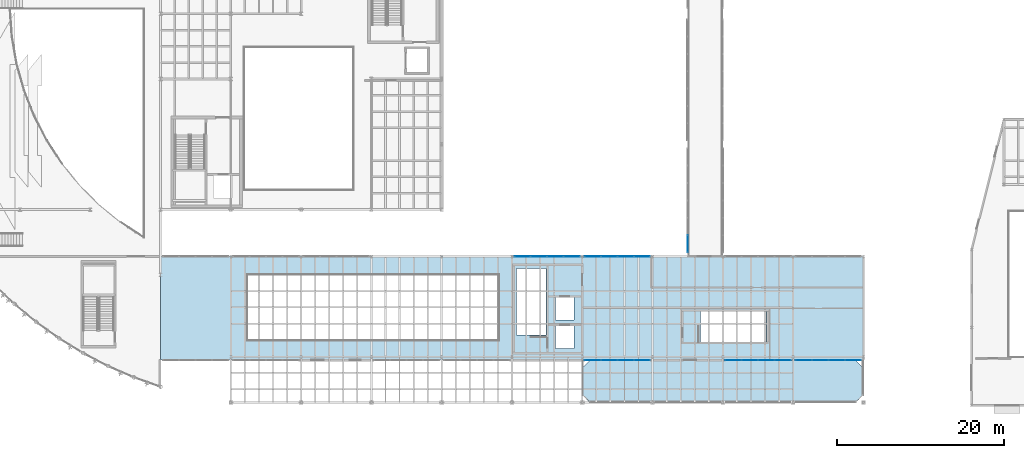
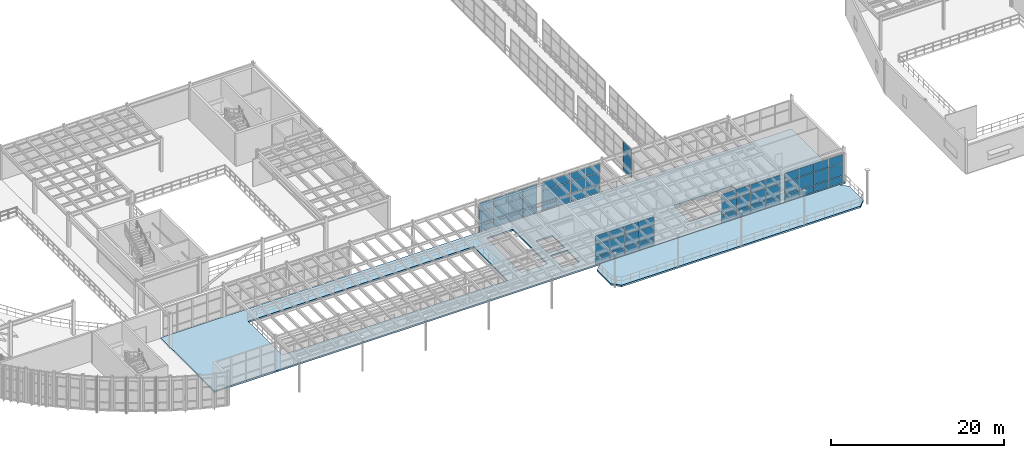
# One storey, part 76 of 105: 63 plates, 2 slabs, 6 elements without a shape of their own.
"""IFC4 building model written with IfcOpenShell, lengths in metres."""

from ifc_helpers import new_model, si_unit, direction, frame, origin, origin_2d, place, context, subcontext, project, spatial, polyline, rectangle, outline, extrude, material, layer, layer_set, type_object, element, aggregate, save


model = new_model("IFC4")

# Units and contexts
model_context = context("Model", 3, precision=1e-05, world=origin(), true_north=direction((0.0, 1.0)))
body_context = subcontext(model_context, "Body", "Model", "MODEL_VIEW")
ifc_project = project(units=[si_unit("LENGTHUNIT", "METRE"), si_unit("AREAUNIT", "SQUARE_METRE"), si_unit("VOLUMEUNIT", "CUBIC_METRE"), si_unit("PLANEANGLEUNIT", "RADIAN"), si_unit("MASSUNIT", "GRAM", prefix="KILO")], contexts=[model_context])

# Site, building, storey
site_placement = place(None, origin())
site = spatial("IfcSite", under=ifc_project, at=site_placement, CompositionType="ELEMENT")
building_placement = place(site_placement, origin())
building = spatial("IfcBuilding", under=site, at=building_placement, Name="Selat Folded Stagehouse", CompositionType="ELEMENT")
storey_placement = place(building_placement, frame((0.0, 0.0, 10.199951171875)))
storey = spatial("IfcBuildingStorey", under=building, at=storey_placement, Name="L02", CompositionType="ELEMENT", Elevation=10.199951171875)

# Curtain wall, plates
ifc_material_1 = material(Name="Aluminium 6063-T6", Category="aluminium")
ifc_layer_1 = layer(ifc_material_1, 0.195068359375)
ifc_layer_set_1 = layer_set([ifc_layer_1], Name="Aluminium 6063-T6")
curtain_wall_type_1 = type_object("IfcCurtainWallType", Name="CW-FYR-COURT", PredefinedType="NOTDEFINED", material=ifc_layer_set_1)
curtain_wall_1_placement = place(storey_placement, origin())
curtain_wall_1 = element("IfcCurtainWall", 1, at=curtain_wall_1_placement, inside=storey, type_object=curtain_wall_type_1, Name="L02 curtain wall CW-FYR-L02-10", PredefinedType="NOTDEFINED")
ifc_material_2 = material(Name="Clear laminated double glazing", Category="glass")
ifc_layer_2 = layer(ifc_material_2, 0.028076171875)
ifc_layer_set_2 = layer_set([ifc_layer_2], Name="Clear laminated double glazing")
plate_type_1 = type_object("IfcPlateType", Name="CWP-GLZ-DGU28", PredefinedType="CURTAIN_PANEL", material=ifc_layer_set_2)
plate_1_placement = place(storey_placement, frame((76.853759765625, 17.800048828125, 0.06494140625), z_axis=(0.0, 0.0, 1.0), x_axis=(1.0, 0.0, 0.0)))
plate_1 = element("IfcPlate", 2, at=plate_1_placement, type_object=plate_type_1, Name="CW-05 panel 1.1", PredefinedType="CURTAIN_PANEL", context=body_context, shape_type="SweptSolid", body=[
    extrude(rectangle(XDim=1.87744140625, YDim=0.028076171875, at=origin_2d()), origin(), (0.0, 0.0, 1.0), 0.952392578125),
])
plate_2_placement = place(storey_placement, frame((76.853759765625, 17.800048828125, 1.08251953125), z_axis=(0.0, 0.0, 1.0), x_axis=(1.0, 0.0, 0.0)))
plate_2 = element("IfcPlate", 3, at=plate_2_placement, type_object=plate_type_1, Name="CW-05 panel 1.2", PredefinedType="CURTAIN_PANEL", context=body_context, shape_type="SweptSolid", body=[
    extrude(rectangle(XDim=1.87744140625, YDim=0.028076171875, at=origin_2d()), origin(), (0.0, 0.0, 1.0), 1.735107421875),
])
plate_3_placement = place(storey_placement, frame((76.853759765625, 17.800048828125, 2.88232421875), z_axis=(0.0, 0.0, 1.0), x_axis=(1.0, 0.0, 0.0)))
plate_3 = element("IfcPlate", 4, at=plate_3_placement, type_object=plate_type_1, Name="CW-05 panel 1.3", PredefinedType="CURTAIN_PANEL", context=body_context, shape_type="SweptSolid", body=[
    extrude(rectangle(XDim=1.87744140625, YDim=0.028076171875, at=origin_2d()), origin(), (0.0, 0.0, 1.0), 1.172607421875),
])
plate_4_placement = place(storey_placement, frame((78.8125, 17.800048828125, 0.06494140625), z_axis=(0.0, 0.0, 1.0), x_axis=(1.0, 0.0, 0.0)))
plate_4 = element("IfcPlate", 5, at=plate_4_placement, type_object=plate_type_1, Name="CW-05 panel 2.1", PredefinedType="CURTAIN_PANEL", context=body_context, shape_type="SweptSolid", body=[
    extrude(rectangle(XDim=1.909912109375, YDim=0.028076171875, at=origin_2d()), origin(), (0.0, 0.0, 1.0), 0.952392578125),
])
plate_5_placement = place(storey_placement, frame((78.8125, 17.800048828125, 1.08251953125), z_axis=(0.0, 0.0, 1.0), x_axis=(1.0, 0.0, 0.0)))
plate_5 = element("IfcPlate", 6, at=plate_5_placement, type_object=plate_type_1, Name="CW-05 panel 2.2", PredefinedType="CURTAIN_PANEL", context=body_context, shape_type="SweptSolid", body=[
    extrude(rectangle(XDim=1.909912109375, YDim=0.028076171875, at=origin_2d()), origin(), (0.0, 0.0, 1.0), 1.735107421875),
])
plate_6_placement = place(storey_placement, frame((78.8125, 17.800048828125, 2.88232421875), z_axis=(0.0, 0.0, 1.0), x_axis=(1.0, 0.0, 0.0)))
plate_6 = element("IfcPlate", 7, at=plate_6_placement, type_object=plate_type_1, Name="CW-05 panel 2.3", PredefinedType="CURTAIN_PANEL", context=body_context, shape_type="SweptSolid", body=[
    extrude(rectangle(XDim=1.909912109375, YDim=0.028076171875, at=origin_2d()), origin(), (0.0, 0.0, 1.0), 1.172607421875),
])
plate_7_placement = place(storey_placement, frame((80.78759765625, 17.800048828125, 0.06494140625), z_axis=(0.0, 0.0, 1.0), x_axis=(1.0, 0.0, 0.0)))
plate_7 = element("IfcPlate", 8, at=plate_7_placement, type_object=plate_type_1, Name="CW-05 panel 3.1", PredefinedType="CURTAIN_PANEL", context=body_context, shape_type="SweptSolid", body=[
    extrude(rectangle(XDim=1.909912109375, YDim=0.028076171875, at=origin_2d()), origin(), (0.0, 0.0, 1.0), 0.952392578125),
])
plate_8_placement = place(storey_placement, frame((80.78759765625, 17.800048828125, 1.08251953125), z_axis=(0.0, 0.0, 1.0), x_axis=(1.0, 0.0, 0.0)))
plate_8 = element("IfcPlate", 9, at=plate_8_placement, type_object=plate_type_1, Name="CW-05 panel 3.2", PredefinedType="CURTAIN_PANEL", context=body_context, shape_type="SweptSolid", body=[
    extrude(rectangle(XDim=1.909912109375, YDim=0.028076171875, at=origin_2d()), origin(), (0.0, 0.0, 1.0), 1.735107421875),
])
plate_9_placement = place(storey_placement, frame((80.78759765625, 17.800048828125, 2.88232421875), z_axis=(0.0, 0.0, 1.0), x_axis=(1.0, 0.0, 0.0)))
plate_9 = element("IfcPlate", 10, at=plate_9_placement, type_object=plate_type_1, Name="CW-05 panel 3.3", PredefinedType="CURTAIN_PANEL", context=body_context, shape_type="SweptSolid", body=[
    extrude(rectangle(XDim=1.909912109375, YDim=0.028076171875, at=origin_2d()), origin(), (0.0, 0.0, 1.0), 1.172607421875),
])
plate_10_placement = place(storey_placement, frame((82.746337890625, 17.800048828125, 0.06494140625), z_axis=(0.0, 0.0, 1.0), x_axis=(1.0, 0.0, 0.0)))
plate_10 = element("IfcPlate", 11, at=plate_10_placement, type_object=plate_type_1, Name="CW-05 panel 4.1", PredefinedType="CURTAIN_PANEL", context=body_context, shape_type="SweptSolid", body=[
    extrude(rectangle(XDim=1.87744140625, YDim=0.028076171875, at=origin_2d()), origin(), (0.0, 0.0, 1.0), 0.952392578125),
])
plate_11_placement = place(storey_placement, frame((82.746337890625, 17.800048828125, 1.08251953125), z_axis=(0.0, 0.0, 1.0), x_axis=(1.0, 0.0, 0.0)))
plate_11 = element("IfcPlate", 12, at=plate_11_placement, type_object=plate_type_1, Name="CW-05 panel 4.2", PredefinedType="CURTAIN_PANEL", context=body_context, shape_type="SweptSolid", body=[
    extrude(rectangle(XDim=1.87744140625, YDim=0.028076171875, at=origin_2d()), origin(), (0.0, 0.0, 1.0), 1.735107421875),
])
plate_12_placement = place(storey_placement, frame((82.746337890625, 17.800048828125, 2.88232421875), z_axis=(0.0, 0.0, 1.0), x_axis=(1.0, 0.0, 0.0)))
plate_12 = element("IfcPlate", 13, at=plate_12_placement, type_object=plate_type_1, Name="CW-05 panel 4.3", PredefinedType="CURTAIN_PANEL", context=body_context, shape_type="SweptSolid", body=[
    extrude(rectangle(XDim=1.87744140625, YDim=0.028076171875, at=origin_2d()), origin(), (0.0, 0.0, 1.0), 1.172607421875),
])
aggregate(curtain_wall_1, [plate_1, plate_2, plate_3, plate_4, plate_5, plate_6, plate_7, plate_8, plate_9, plate_10, plate_11, plate_12])

curtain_wall_2_placement = place(storey_placement, origin())
curtain_wall_2 = element("IfcCurtainWall", 14, at=curtain_wall_2_placement, inside=storey, type_object=curtain_wall_type_1, Name="L02 curtain wall CW-FYR-L02-11", PredefinedType="NOTDEFINED")
plate_13_placement = place(storey_placement, frame((85.253662109375, 17.800048828125, 0.06494140625), z_axis=(0.0, 0.0, 1.0), x_axis=(1.0, 0.0, 0.0)))
plate_13 = element("IfcPlate", 15, at=plate_13_placement, type_object=plate_type_1, Name="CW-05 panel 1.1", PredefinedType="CURTAIN_PANEL", context=body_context, shape_type="SweptSolid", body=[
    extrude(rectangle(XDim=1.87744140625, YDim=0.028076171875, at=origin_2d()), origin(), (0.0, 0.0, 1.0), 0.952392578125),
])
plate_14_placement = place(storey_placement, frame((85.253662109375, 17.800048828125, 1.08251953125), z_axis=(0.0, 0.0, 1.0), x_axis=(1.0, 0.0, 0.0)))
plate_14 = element("IfcPlate", 16, at=plate_14_placement, type_object=plate_type_1, Name="CW-05 panel 1.2", PredefinedType="CURTAIN_PANEL", context=body_context, shape_type="SweptSolid", body=[
    extrude(rectangle(XDim=1.87744140625, YDim=0.028076171875, at=origin_2d()), origin(), (0.0, 0.0, 1.0), 1.735107421875),
])
plate_15_placement = place(storey_placement, frame((85.253662109375, 17.800048828125, 2.88232421875), z_axis=(0.0, 0.0, 1.0), x_axis=(1.0, 0.0, 0.0)))
plate_15 = element("IfcPlate", 17, at=plate_15_placement, type_object=plate_type_1, Name="CW-05 panel 1.3", PredefinedType="CURTAIN_PANEL", context=body_context, shape_type="SweptSolid", body=[
    extrude(rectangle(XDim=1.87744140625, YDim=0.028076171875, at=origin_2d()), origin(), (0.0, 0.0, 1.0), 1.172607421875),
])
plate_16_placement = place(storey_placement, frame((87.21240234375, 17.800048828125, 0.06494140625), z_axis=(0.0, 0.0, 1.0), x_axis=(1.0, 0.0, 0.0)))
plate_16 = element("IfcPlate", 18, at=plate_16_placement, type_object=plate_type_1, Name="CW-05 panel 2.1", PredefinedType="CURTAIN_PANEL", context=body_context, shape_type="SweptSolid", body=[
    extrude(rectangle(XDim=1.909912109375, YDim=0.028076171875, at=origin_2d()), origin(), (0.0, 0.0, 1.0), 0.952392578125),
])
plate_17_placement = place(storey_placement, frame((87.21240234375, 17.800048828125, 1.08251953125), z_axis=(0.0, 0.0, 1.0), x_axis=(1.0, 0.0, 0.0)))
plate_17 = element("IfcPlate", 19, at=plate_17_placement, type_object=plate_type_1, Name="CW-05 panel 2.2", PredefinedType="CURTAIN_PANEL", context=body_context, shape_type="SweptSolid", body=[
    extrude(rectangle(XDim=1.909912109375, YDim=0.028076171875, at=origin_2d()), origin(), (0.0, 0.0, 1.0), 1.735107421875),
])
plate_18_placement = place(storey_placement, frame((87.21240234375, 17.800048828125, 2.88232421875), z_axis=(0.0, 0.0, 1.0), x_axis=(1.0, 0.0, 0.0)))
plate_18 = element("IfcPlate", 20, at=plate_18_placement, type_object=plate_type_1, Name="CW-05 panel 2.3", PredefinedType="CURTAIN_PANEL", context=body_context, shape_type="SweptSolid", body=[
    extrude(rectangle(XDim=1.909912109375, YDim=0.028076171875, at=origin_2d()), origin(), (0.0, 0.0, 1.0), 1.172607421875),
])
plate_19_placement = place(storey_placement, frame((89.1875, 17.800048828125, 0.06494140625), z_axis=(0.0, 0.0, 1.0), x_axis=(1.0, 0.0, 0.0)))
plate_19 = element("IfcPlate", 21, at=plate_19_placement, type_object=plate_type_1, Name="CW-05 panel 3.1", PredefinedType="CURTAIN_PANEL", context=body_context, shape_type="SweptSolid", body=[
    extrude(rectangle(XDim=1.909912109375, YDim=0.028076171875, at=origin_2d()), origin(), (0.0, 0.0, 1.0), 0.952392578125),
])
plate_20_placement = place(storey_placement, frame((89.1875, 17.800048828125, 1.08251953125), z_axis=(0.0, 0.0, 1.0), x_axis=(1.0, 0.0, 0.0)))
plate_20 = element("IfcPlate", 22, at=plate_20_placement, type_object=plate_type_1, Name="CW-05 panel 3.2", PredefinedType="CURTAIN_PANEL", context=body_context, shape_type="SweptSolid", body=[
    extrude(rectangle(XDim=1.909912109375, YDim=0.028076171875, at=origin_2d()), origin(), (0.0, 0.0, 1.0), 1.735107421875),
])
plate_21_placement = place(storey_placement, frame((89.1875, 17.800048828125, 2.88232421875), z_axis=(0.0, 0.0, 1.0), x_axis=(1.0, 0.0, 0.0)))
plate_21 = element("IfcPlate", 23, at=plate_21_placement, type_object=plate_type_1, Name="CW-05 panel 3.3", PredefinedType="CURTAIN_PANEL", context=body_context, shape_type="SweptSolid", body=[
    extrude(rectangle(XDim=1.909912109375, YDim=0.028076171875, at=origin_2d()), origin(), (0.0, 0.0, 1.0), 1.172607421875),
])
plate_22_placement = place(storey_placement, frame((91.146240234375, 17.800048828125, 0.06494140625), z_axis=(0.0, 0.0, 1.0), x_axis=(1.0, 0.0, 0.0)))
plate_22 = element("IfcPlate", 24, at=plate_22_placement, type_object=plate_type_1, Name="CW-05 panel 4.1", PredefinedType="CURTAIN_PANEL", context=body_context, shape_type="SweptSolid", body=[
    extrude(rectangle(XDim=1.87744140625, YDim=0.028076171875, at=origin_2d()), origin(), (0.0, 0.0, 1.0), 0.952392578125),
])
plate_23_placement = place(storey_placement, frame((91.146240234375, 17.800048828125, 1.08251953125), z_axis=(0.0, 0.0, 1.0), x_axis=(1.0, 0.0, 0.0)))
plate_23 = element("IfcPlate", 25, at=plate_23_placement, type_object=plate_type_1, Name="CW-05 panel 4.2", PredefinedType="CURTAIN_PANEL", context=body_context, shape_type="SweptSolid", body=[
    extrude(rectangle(XDim=1.87744140625, YDim=0.028076171875, at=origin_2d()), origin(), (0.0, 0.0, 1.0), 1.735107421875),
])
plate_24_placement = place(storey_placement, frame((91.146240234375, 17.800048828125, 2.88232421875), z_axis=(0.0, 0.0, 1.0), x_axis=(1.0, 0.0, 0.0)))
plate_24 = element("IfcPlate", 26, at=plate_24_placement, type_object=plate_type_1, Name="CW-05 panel 4.3", PredefinedType="CURTAIN_PANEL", context=body_context, shape_type="SweptSolid", body=[
    extrude(rectangle(XDim=1.87744140625, YDim=0.028076171875, at=origin_2d()), origin(), (0.0, 0.0, 1.0), 1.172607421875),
])
aggregate(curtain_wall_2, [plate_13, plate_14, plate_15, plate_16, plate_17, plate_18, plate_19, plate_20, plate_21, plate_22, plate_23, plate_24])

ifc_layer_3 = layer(ifc_material_1, 0.175048828125)
ifc_layer_set_3 = layer_set([ifc_layer_3], Name="Aluminium 6063-T6")
curtain_wall_type_2 = type_object("IfcCurtainWallType", Name="CW-BRG-GLAZ", PredefinedType="NOTDEFINED", material=ifc_layer_set_3)
curtain_wall_3_placement = place(storey_placement, origin())
curtain_wall_3 = element("IfcCurtainWall", 27, at=curtain_wall_3_placement, inside=storey, type_object=curtain_wall_type_2, Name="L02 curtain wall CW-BRG-11", PredefinedType="NOTDEFINED")
plate_25_placement = place(storey_placement, frame((96.60009765625, 19.306640625, 0.06494140625), z_axis=(0.0, 0.0, 1.0), x_axis=(0.0, 1.0, 0.0)))
plate_25 = element("IfcPlate", 28, at=plate_25_placement, type_object=plate_type_1, Name="CW-07 panel 1.1", PredefinedType="CURTAIN_PANEL", context=body_context, shape_type="SweptSolid", body=[
    extrude(rectangle(XDim=1.993408203125, YDim=0.028076171875, at=origin_2d()), origin(), (0.0, 0.0, 1.0), 0.952392578125),
])
plate_26_placement = place(storey_placement, frame((96.60009765625, 19.306640625, 1.08251953125), z_axis=(0.0, 0.0, 1.0), x_axis=(0.0, 1.0, 0.0)))
plate_26 = element("IfcPlate", 29, at=plate_26_placement, type_object=plate_type_1, Name="CW-07 panel 1.2", PredefinedType="CURTAIN_PANEL", context=body_context, shape_type="SweptSolid", body=[
    extrude(rectangle(XDim=1.993408203125, YDim=0.028076171875, at=origin_2d()), origin(), (0.0, 0.0, 1.0), 1.735107421875),
])
plate_27_placement = place(storey_placement, frame((96.60009765625, 19.306640625, 2.8828125), z_axis=(0.0, 0.0, 1.0), x_axis=(0.0, 1.0, 0.0)))
plate_27 = element("IfcPlate", 30, at=plate_27_placement, type_object=plate_type_1, Name="CW-07 panel 1.3", PredefinedType="CURTAIN_PANEL", context=body_context, shape_type="SweptSolid", body=[
    extrude(rectangle(XDim=1.993408203125, YDim=0.028076171875, at=origin_2d()), origin(), (0.0, 0.0, 1.0), 1.202392578125),
])
aggregate(curtain_wall_3, [plate_25, plate_26, plate_27])

ifc_layer_4 = layer(ifc_material_1, 0.2099609375)
ifc_layer_set_4 = layer_set([ifc_layer_4], Name="Aluminium 6063-T6")
curtain_wall_type_3 = type_object("IfcCurtainWallType", Name="CW-FYR-SOUTH", PredefinedType="NOTDEFINED", material=ifc_layer_set_4)
curtain_wall_4_placement = place(storey_placement, origin())
curtain_wall_4 = element("IfcCurtainWall", 31, at=curtain_wall_4_placement, inside=storey, type_object=curtain_wall_type_3, Name="L02 curtain wall CW-FYR-L02-04", PredefinedType="NOTDEFINED")
ifc_material_3 = material(Name="Acoustic laminated double glazing", Category="glass")
ifc_layer_5 = layer(ifc_material_3, 0.035888671875)
ifc_layer_set_5 = layer_set([ifc_layer_5], Name="Acoustic laminated double glazing")
plate_type_2 = type_object("IfcPlateType", Name="CWP-GLZ-DGU36", PredefinedType="CURTAIN_PANEL", material=ifc_layer_set_5)
plate_28_placement = place(storey_placement, frame((91.146240234375, 5.39990234375, 0.06494140625), z_axis=(0.0, 0.0, 1.0), x_axis=(-1.0, 0.0, 0.0)))
plate_28 = element("IfcPlate", 32, at=plate_28_placement, type_object=plate_type_2, Name="CW-04 panel 1.1", PredefinedType="CURTAIN_PANEL", context=body_context, shape_type="SweptSolid", body=[
    extrude(rectangle(XDim=1.87744140625, YDim=0.035888671875, at=origin_2d()), origin(), (0.0, 0.0, 1.0), 0.952392578125),
])
plate_29_placement = place(storey_placement, frame((91.146240234375, 5.39990234375, 1.08251953125), z_axis=(0.0, 0.0, 1.0), x_axis=(-1.0, 0.0, 0.0)))
plate_29 = element("IfcPlate", 33, at=plate_29_placement, type_object=plate_type_2, Name="CW-04 panel 1.2", PredefinedType="CURTAIN_PANEL", context=body_context, shape_type="SweptSolid", body=[
    extrude(rectangle(XDim=1.87744140625, YDim=0.035888671875, at=origin_2d()), origin(), (0.0, 0.0, 1.0), 1.735107421875),
])
plate_30_placement = place(storey_placement, frame((91.146240234375, 5.39990234375, 2.88232421875), z_axis=(0.0, 0.0, 1.0), x_axis=(-1.0, 0.0, 0.0)))
plate_30 = element("IfcPlate", 34, at=plate_30_placement, type_object=plate_type_2, Name="CW-04 panel 1.3", PredefinedType="CURTAIN_PANEL", context=body_context, shape_type="SweptSolid", body=[
    extrude(rectangle(XDim=1.87744140625, YDim=0.035888671875, at=origin_2d()), origin(), (0.0, 0.0, 1.0), 1.172607421875),
])
plate_31_placement = place(storey_placement, frame((89.1875, 5.39990234375, 0.06494140625), z_axis=(0.0, 0.0, 1.0), x_axis=(-1.0, 0.0, 0.0)))
plate_31 = element("IfcPlate", 35, at=plate_31_placement, type_object=plate_type_2, Name="CW-04 panel 2.1", PredefinedType="CURTAIN_PANEL", context=body_context, shape_type="SweptSolid", body=[
    extrude(rectangle(XDim=1.909912109375, YDim=0.035888671875, at=origin_2d()), origin(), (0.0, 0.0, 1.0), 0.952392578125),
])
plate_32_placement = place(storey_placement, frame((89.1875, 5.39990234375, 1.08251953125), z_axis=(0.0, 0.0, 1.0), x_axis=(-1.0, 0.0, 0.0)))
plate_32 = element("IfcPlate", 36, at=plate_32_placement, type_object=plate_type_2, Name="CW-04 panel 2.2", PredefinedType="CURTAIN_PANEL", context=body_context, shape_type="SweptSolid", body=[
    extrude(rectangle(XDim=1.909912109375, YDim=0.035888671875, at=origin_2d()), origin(), (0.0, 0.0, 1.0), 1.735107421875),
])
plate_33_placement = place(storey_placement, frame((89.1875, 5.39990234375, 2.88232421875), z_axis=(0.0, 0.0, 1.0), x_axis=(-1.0, 0.0, 0.0)))
plate_33 = element("IfcPlate", 37, at=plate_33_placement, type_object=plate_type_2, Name="CW-04 panel 2.3", PredefinedType="CURTAIN_PANEL", context=body_context, shape_type="SweptSolid", body=[
    extrude(rectangle(XDim=1.909912109375, YDim=0.035888671875, at=origin_2d()), origin(), (0.0, 0.0, 1.0), 1.172607421875),
])
plate_34_placement = place(storey_placement, frame((87.21240234375, 5.39990234375, 0.06494140625), z_axis=(0.0, 0.0, 1.0), x_axis=(-1.0, 0.0, 0.0)))
plate_34 = element("IfcPlate", 38, at=plate_34_placement, type_object=plate_type_2, Name="CW-04 panel 3.1", PredefinedType="CURTAIN_PANEL", context=body_context, shape_type="SweptSolid", body=[
    extrude(rectangle(XDim=1.909912109375, YDim=0.035888671875, at=origin_2d()), origin(), (0.0, 0.0, 1.0), 0.952392578125),
])
plate_35_placement = place(storey_placement, frame((87.21240234375, 5.39990234375, 1.08251953125), z_axis=(0.0, 0.0, 1.0), x_axis=(-1.0, 0.0, 0.0)))
plate_35 = element("IfcPlate", 39, at=plate_35_placement, type_object=plate_type_2, Name="CW-04 panel 3.2", PredefinedType="CURTAIN_PANEL", context=body_context, shape_type="SweptSolid", body=[
    extrude(rectangle(XDim=1.909912109375, YDim=0.035888671875, at=origin_2d()), origin(), (0.0, 0.0, 1.0), 1.735107421875),
])
plate_36_placement = place(storey_placement, frame((87.21240234375, 5.39990234375, 2.88232421875), z_axis=(0.0, 0.0, 1.0), x_axis=(-1.0, 0.0, 0.0)))
plate_36 = element("IfcPlate", 40, at=plate_36_placement, type_object=plate_type_2, Name="CW-04 panel 3.3", PredefinedType="CURTAIN_PANEL", context=body_context, shape_type="SweptSolid", body=[
    extrude(rectangle(XDim=1.909912109375, YDim=0.035888671875, at=origin_2d()), origin(), (0.0, 0.0, 1.0), 1.172607421875),
])
plate_37_placement = place(storey_placement, frame((85.253662109375, 5.39990234375, 0.06494140625), z_axis=(0.0, 0.0, 1.0), x_axis=(-1.0, 0.0, 0.0)))
plate_37 = element("IfcPlate", 41, at=plate_37_placement, type_object=plate_type_2, Name="CW-04 panel 4.1", PredefinedType="CURTAIN_PANEL", context=body_context, shape_type="SweptSolid", body=[
    extrude(rectangle(XDim=1.87744140625, YDim=0.035888671875, at=origin_2d()), origin(), (0.0, 0.0, 1.0), 0.952392578125),
])
plate_38_placement = place(storey_placement, frame((85.253662109375, 5.39990234375, 1.08251953125), z_axis=(0.0, 0.0, 1.0), x_axis=(-1.0, 0.0, 0.0)))
plate_38 = element("IfcPlate", 42, at=plate_38_placement, type_object=plate_type_2, Name="CW-04 panel 4.2", PredefinedType="CURTAIN_PANEL", context=body_context, shape_type="SweptSolid", body=[
    extrude(rectangle(XDim=1.87744140625, YDim=0.035888671875, at=origin_2d()), origin(), (0.0, 0.0, 1.0), 1.735107421875),
])
plate_39_placement = place(storey_placement, frame((85.253662109375, 5.39990234375, 2.88232421875), z_axis=(0.0, 0.0, 1.0), x_axis=(-1.0, 0.0, 0.0)))
plate_39 = element("IfcPlate", 43, at=plate_39_placement, type_object=plate_type_2, Name="CW-04 panel 4.3", PredefinedType="CURTAIN_PANEL", context=body_context, shape_type="SweptSolid", body=[
    extrude(rectangle(XDim=1.87744140625, YDim=0.035888671875, at=origin_2d()), origin(), (0.0, 0.0, 1.0), 1.172607421875),
])
aggregate(curtain_wall_4, [plate_28, plate_29, plate_30, plate_31, plate_32, plate_33, plate_34, plate_35, plate_36, plate_37, plate_38, plate_39])

curtain_wall_5_placement = place(storey_placement, origin())
curtain_wall_5 = element("IfcCurtainWall", 44, at=curtain_wall_5_placement, inside=storey, type_object=curtain_wall_type_3, Name="L02 curtain wall CW-FYR-L02-05", PredefinedType="NOTDEFINED")
plate_40_placement = place(storey_placement, frame((107.9462890625, 5.39990234375, 0.06494140625), z_axis=(0.0, 0.0, 1.0), x_axis=(-1.0, 0.0, 0.0)))
plate_40 = element("IfcPlate", 45, at=plate_40_placement, type_object=plate_type_2, Name="CW-04 panel 1.1", PredefinedType="CURTAIN_PANEL", context=body_context, shape_type="SweptSolid", body=[
    extrude(rectangle(XDim=1.87744140625, YDim=0.035888671875, at=origin_2d()), origin(), (0.0, 0.0, 1.0), 0.952392578125),
])
plate_41_placement = place(storey_placement, frame((107.9462890625, 5.39990234375, 1.08251953125), z_axis=(0.0, 0.0, 1.0), x_axis=(-1.0, 0.0, 0.0)))
plate_41 = element("IfcPlate", 46, at=plate_41_placement, type_object=plate_type_2, Name="CW-04 panel 1.2", PredefinedType="CURTAIN_PANEL", context=body_context, shape_type="SweptSolid", body=[
    extrude(rectangle(XDim=1.87744140625, YDim=0.035888671875, at=origin_2d()), origin(), (0.0, 0.0, 1.0), 1.735107421875),
])
plate_42_placement = place(storey_placement, frame((107.9462890625, 5.39990234375, 2.88232421875), z_axis=(0.0, 0.0, 1.0), x_axis=(-1.0, 0.0, 0.0)))
plate_42 = element("IfcPlate", 47, at=plate_42_placement, type_object=plate_type_2, Name="CW-04 panel 1.3", PredefinedType="CURTAIN_PANEL", context=body_context, shape_type="SweptSolid", body=[
    extrude(rectangle(XDim=1.87744140625, YDim=0.035888671875, at=origin_2d()), origin(), (0.0, 0.0, 1.0), 1.172607421875),
])
plate_43_placement = place(storey_placement, frame((105.987548828125, 5.39990234375, 0.06494140625), z_axis=(0.0, 0.0, 1.0), x_axis=(-1.0, 0.0, 0.0)))
plate_43 = element("IfcPlate", 48, at=plate_43_placement, type_object=plate_type_2, Name="CW-04 panel 2.1", PredefinedType="CURTAIN_PANEL", context=body_context, shape_type="SweptSolid", body=[
    extrude(rectangle(XDim=1.909912109375, YDim=0.035888671875, at=origin_2d()), origin(), (0.0, 0.0, 1.0), 0.952392578125),
])
plate_44_placement = place(storey_placement, frame((105.987548828125, 5.39990234375, 1.08251953125), z_axis=(0.0, 0.0, 1.0), x_axis=(-1.0, 0.0, 0.0)))
plate_44 = element("IfcPlate", 49, at=plate_44_placement, type_object=plate_type_2, Name="CW-04 panel 2.2", PredefinedType="CURTAIN_PANEL", context=body_context, shape_type="SweptSolid", body=[
    extrude(rectangle(XDim=1.909912109375, YDim=0.035888671875, at=origin_2d()), origin(), (0.0, 0.0, 1.0), 1.735107421875),
])
plate_45_placement = place(storey_placement, frame((105.987548828125, 5.39990234375, 2.88232421875), z_axis=(0.0, 0.0, 1.0), x_axis=(-1.0, 0.0, 0.0)))
plate_45 = element("IfcPlate", 50, at=plate_45_placement, type_object=plate_type_2, Name="CW-04 panel 2.3", PredefinedType="CURTAIN_PANEL", context=body_context, shape_type="SweptSolid", body=[
    extrude(rectangle(XDim=1.909912109375, YDim=0.035888671875, at=origin_2d()), origin(), (0.0, 0.0, 1.0), 1.172607421875),
])
plate_46_placement = place(storey_placement, frame((104.012451171875, 5.39990234375, 0.06494140625), z_axis=(0.0, 0.0, 1.0), x_axis=(-1.0, 0.0, 0.0)))
plate_46 = element("IfcPlate", 51, at=plate_46_placement, type_object=plate_type_2, Name="CW-04 panel 3.1", PredefinedType="CURTAIN_PANEL", context=body_context, shape_type="SweptSolid", body=[
    extrude(rectangle(XDim=1.909912109375, YDim=0.035888671875, at=origin_2d()), origin(), (0.0, 0.0, 1.0), 0.952392578125),
])
plate_47_placement = place(storey_placement, frame((104.012451171875, 5.39990234375, 1.08251953125), z_axis=(0.0, 0.0, 1.0), x_axis=(-1.0, 0.0, 0.0)))
plate_47 = element("IfcPlate", 52, at=plate_47_placement, type_object=plate_type_2, Name="CW-04 panel 3.2", PredefinedType="CURTAIN_PANEL", context=body_context, shape_type="SweptSolid", body=[
    extrude(rectangle(XDim=1.909912109375, YDim=0.035888671875, at=origin_2d()), origin(), (0.0, 0.0, 1.0), 1.735107421875),
])
plate_48_placement = place(storey_placement, frame((104.012451171875, 5.39990234375, 2.88232421875), z_axis=(0.0, 0.0, 1.0), x_axis=(-1.0, 0.0, 0.0)))
plate_48 = element("IfcPlate", 53, at=plate_48_placement, type_object=plate_type_2, Name="CW-04 panel 3.3", PredefinedType="CURTAIN_PANEL", context=body_context, shape_type="SweptSolid", body=[
    extrude(rectangle(XDim=1.909912109375, YDim=0.035888671875, at=origin_2d()), origin(), (0.0, 0.0, 1.0), 1.172607421875),
])
plate_49_placement = place(storey_placement, frame((102.0537109375, 5.39990234375, 0.06494140625), z_axis=(0.0, 0.0, 1.0), x_axis=(-1.0, 0.0, 0.0)))
plate_49 = element("IfcPlate", 54, at=plate_49_placement, type_object=plate_type_2, Name="CW-04 panel 4.1", PredefinedType="CURTAIN_PANEL", context=body_context, shape_type="SweptSolid", body=[
    extrude(rectangle(XDim=1.87744140625, YDim=0.035888671875, at=origin_2d()), origin(), (0.0, 0.0, 1.0), 0.952392578125),
])
plate_50_placement = place(storey_placement, frame((102.0537109375, 5.39990234375, 1.08251953125), z_axis=(0.0, 0.0, 1.0), x_axis=(-1.0, 0.0, 0.0)))
plate_50 = element("IfcPlate", 55, at=plate_50_placement, type_object=plate_type_2, Name="CW-04 panel 4.2", PredefinedType="CURTAIN_PANEL", context=body_context, shape_type="SweptSolid", body=[
    extrude(rectangle(XDim=1.87744140625, YDim=0.035888671875, at=origin_2d()), origin(), (0.0, 0.0, 1.0), 1.735107421875),
])
plate_51_placement = place(storey_placement, frame((102.0537109375, 5.39990234375, 2.88232421875), z_axis=(0.0, 0.0, 1.0), x_axis=(-1.0, 0.0, 0.0)))
plate_51 = element("IfcPlate", 56, at=plate_51_placement, type_object=plate_type_2, Name="CW-04 panel 4.3", PredefinedType="CURTAIN_PANEL", context=body_context, shape_type="SweptSolid", body=[
    extrude(rectangle(XDim=1.87744140625, YDim=0.035888671875, at=origin_2d()), origin(), (0.0, 0.0, 1.0), 1.172607421875),
])
aggregate(curtain_wall_5, [plate_40, plate_41, plate_42, plate_43, plate_44, plate_45, plate_46, plate_47, plate_48, plate_49, plate_50, plate_51])

curtain_wall_6_placement = place(storey_placement, origin())
curtain_wall_6 = element("IfcCurtainWall", 57, at=curtain_wall_6_placement, inside=storey, type_object=curtain_wall_type_3, Name="L02 curtain wall CW-FYR-L02-06", PredefinedType="NOTDEFINED")
plate_52_placement = place(storey_placement, frame((116.34619140625, 5.39990234375, 0.06494140625), z_axis=(0.0, 0.0, 1.0), x_axis=(-1.0, 0.0, 0.0)))
plate_52 = element("IfcPlate", 58, at=plate_52_placement, type_object=plate_type_2, Name="CW-04 panel 1.1", PredefinedType="CURTAIN_PANEL", context=body_context, shape_type="SweptSolid", body=[
    extrude(rectangle(XDim=1.87744140625, YDim=0.035888671875, at=origin_2d()), origin(), (0.0, 0.0, 1.0), 0.952392578125),
])
plate_53_placement = place(storey_placement, frame((116.34619140625, 5.39990234375, 1.08251953125), z_axis=(0.0, 0.0, 1.0), x_axis=(-1.0, 0.0, 0.0)))
plate_53 = element("IfcPlate", 59, at=plate_53_placement, type_object=plate_type_2, Name="CW-04 panel 1.2", PredefinedType="CURTAIN_PANEL", context=body_context, shape_type="SweptSolid", body=[
    extrude(rectangle(XDim=1.87744140625, YDim=0.035888671875, at=origin_2d()), origin(), (0.0, 0.0, 1.0), 1.735107421875),
])
plate_54_placement = place(storey_placement, frame((116.34619140625, 5.39990234375, 2.88232421875), z_axis=(0.0, 0.0, 1.0), x_axis=(-1.0, 0.0, 0.0)))
plate_54 = element("IfcPlate", 60, at=plate_54_placement, type_object=plate_type_2, Name="CW-04 panel 1.3", PredefinedType="CURTAIN_PANEL", context=body_context, shape_type="SweptSolid", body=[
    extrude(rectangle(XDim=1.87744140625, YDim=0.035888671875, at=origin_2d()), origin(), (0.0, 0.0, 1.0), 1.172607421875),
])
plate_55_placement = place(storey_placement, frame((114.387451171875, 5.39990234375, 0.06494140625), z_axis=(0.0, 0.0, 1.0), x_axis=(-1.0, 0.0, 0.0)))
plate_55 = element("IfcPlate", 61, at=plate_55_placement, type_object=plate_type_2, Name="CW-04 panel 2.1", PredefinedType="CURTAIN_PANEL", context=body_context, shape_type="SweptSolid", body=[
    extrude(rectangle(XDim=1.909912109375, YDim=0.035888671875, at=origin_2d()), origin(), (0.0, 0.0, 1.0), 0.952392578125),
])
plate_56_placement = place(storey_placement, frame((114.387451171875, 5.39990234375, 1.08251953125), z_axis=(0.0, 0.0, 1.0), x_axis=(-1.0, 0.0, 0.0)))
plate_56 = element("IfcPlate", 62, at=plate_56_placement, type_object=plate_type_2, Name="CW-04 panel 2.2", PredefinedType="CURTAIN_PANEL", context=body_context, shape_type="SweptSolid", body=[
    extrude(rectangle(XDim=1.909912109375, YDim=0.035888671875, at=origin_2d()), origin(), (0.0, 0.0, 1.0), 1.735107421875),
])
plate_57_placement = place(storey_placement, frame((114.387451171875, 5.39990234375, 2.88232421875), z_axis=(0.0, 0.0, 1.0), x_axis=(-1.0, 0.0, 0.0)))
plate_57 = element("IfcPlate", 63, at=plate_57_placement, type_object=plate_type_2, Name="CW-04 panel 2.3", PredefinedType="CURTAIN_PANEL", context=body_context, shape_type="SweptSolid", body=[
    extrude(rectangle(XDim=1.909912109375, YDim=0.035888671875, at=origin_2d()), origin(), (0.0, 0.0, 1.0), 1.172607421875),
])
plate_58_placement = place(storey_placement, frame((112.41259765625, 5.39990234375, 0.06494140625), z_axis=(0.0, 0.0, 1.0), x_axis=(-1.0, 0.0, 0.0)))
plate_58 = element("IfcPlate", 64, at=plate_58_placement, type_object=plate_type_2, Name="CW-04 panel 3.1", PredefinedType="CURTAIN_PANEL", context=body_context, shape_type="SweptSolid", body=[
    extrude(rectangle(XDim=1.909912109375, YDim=0.035888671875, at=origin_2d()), origin(), (0.0, 0.0, 1.0), 0.952392578125),
])
plate_59_placement = place(storey_placement, frame((112.41259765625, 5.39990234375, 1.08251953125), z_axis=(0.0, 0.0, 1.0), x_axis=(-1.0, 0.0, 0.0)))
plate_59 = element("IfcPlate", 65, at=plate_59_placement, type_object=plate_type_2, Name="CW-04 panel 3.2", PredefinedType="CURTAIN_PANEL", context=body_context, shape_type="SweptSolid", body=[
    extrude(rectangle(XDim=1.909912109375, YDim=0.035888671875, at=origin_2d()), origin(), (0.0, 0.0, 1.0), 1.735107421875),
])
plate_60_placement = place(storey_placement, frame((112.41259765625, 5.39990234375, 2.88232421875), z_axis=(0.0, 0.0, 1.0), x_axis=(-1.0, 0.0, 0.0)))
plate_60 = element("IfcPlate", 66, at=plate_60_placement, type_object=plate_type_2, Name="CW-04 panel 3.3", PredefinedType="CURTAIN_PANEL", context=body_context, shape_type="SweptSolid", body=[
    extrude(rectangle(XDim=1.909912109375, YDim=0.035888671875, at=origin_2d()), origin(), (0.0, 0.0, 1.0), 1.172607421875),
])
plate_61_placement = place(storey_placement, frame((110.453857421875, 5.39990234375, 0.06494140625), z_axis=(0.0, 0.0, 1.0), x_axis=(-1.0, 0.0, 0.0)))
plate_61 = element("IfcPlate", 67, at=plate_61_placement, type_object=plate_type_2, Name="CW-04 panel 4.1", PredefinedType="CURTAIN_PANEL", context=body_context, shape_type="SweptSolid", body=[
    extrude(rectangle(XDim=1.87744140625, YDim=0.035888671875, at=origin_2d()), origin(), (0.0, 0.0, 1.0), 0.952392578125),
])
plate_62_placement = place(storey_placement, frame((110.453857421875, 5.39990234375, 1.08251953125), z_axis=(0.0, 0.0, 1.0), x_axis=(-1.0, 0.0, 0.0)))
plate_62 = element("IfcPlate", 68, at=plate_62_placement, type_object=plate_type_2, Name="CW-04 panel 4.2", PredefinedType="CURTAIN_PANEL", context=body_context, shape_type="SweptSolid", body=[
    extrude(rectangle(XDim=1.87744140625, YDim=0.035888671875, at=origin_2d()), origin(), (0.0, 0.0, 1.0), 1.735107421875),
])
plate_63_placement = place(storey_placement, frame((110.453857421875, 5.39990234375, 2.88232421875), z_axis=(0.0, 0.0, 1.0), x_axis=(-1.0, 0.0, 0.0)))
plate_63 = element("IfcPlate", 69, at=plate_63_placement, type_object=plate_type_2, Name="CW-04 panel 4.3", PredefinedType="CURTAIN_PANEL", context=body_context, shape_type="SweptSolid", body=[
    extrude(rectangle(XDim=1.87744140625, YDim=0.035888671875, at=origin_2d()), origin(), (0.0, 0.0, 1.0), 1.172607421875),
])
aggregate(curtain_wall_6, [plate_52, plate_53, plate_54, plate_55, plate_56, plate_57, plate_58, plate_59, plate_60, plate_61, plate_62, plate_63])

# Slabs
ifc_material_4 = material(Name="Concrete C40/50", Category="concrete")
ifc_layer_6 = layer(ifc_material_4, 0.239990234375)
ifc_layer_set_6 = layer_set([ifc_layer_6], Name="Concrete C40/50")
slab_type_1 = type_object("IfcSlabType", Name="SLAB-EXT-240", PredefinedType="FLOOR", material=ifc_layer_set_6)
slab_1_placement = place(storey_placement, frame((0.0, 0.0, -0.239990234375)))
element("IfcSlab", 70, at=slab_1_placement, inside=storey, type_object=slab_type_1, Name="L02 V5 floor slab SL-L02-TERR", PredefinedType="FLOOR", context=body_context, shape_type="SweptSolid", body=[
    extrude(outline(polyline([(84.89990234375, 0.35009765625), (116.699951171875, 0.35009765625), (117.60009765625, 1.25), (117.60009765625, 4.43994140625), (116.699951171875, 5.340087890625), (84.89990234375, 5.340087890625), (84.0, 4.43994140625), (84.0, 1.25), (84.89990234375, 0.35009765625)])), origin(), (0.0, 0.0, 1.0), 0.239990234375),
])
ifc_layer_7 = layer(ifc_material_4, 0.219970703125)
ifc_layer_set_7 = layer_set([ifc_layer_7], Name="Concrete C40/50")
slab_type_2 = type_object("IfcSlabType", Name="SLAB-FLR-220", PredefinedType="FLOOR", material=ifc_layer_set_7)
slab_2_placement = place(storey_placement, frame((0.0, 0.0, -0.219970703125)))
element("IfcSlab", 71, at=slab_2_placement, inside=storey, type_object=slab_type_2, Name="L02 V5 floor slab SL-L02-V5", PredefinedType="FLOOR", context=body_context, shape_type="SweptSolid", body=[
    extrude(outline(polyline([(33.60009765625, 5.39990234375), (117.60009765625, 5.39990234375), (117.60009765625, 17.800048828125), (33.60009765625, 17.800048828125), (33.60009765625, 5.39990234375)]), holes=[polyline([(80.800048828125, 6.800048828125), (80.800048828125, 9.60009765625), (83.0, 9.60009765625), (83.0, 6.800048828125), (80.800048828125, 6.800048828125)]), polyline([(98.10009765625, 7.56005859375), (98.10009765625, 11.239990234375), (105.97998046875, 11.239990234375), (105.97998046875, 7.56005859375), (98.10009765625, 7.56005859375)]), polyline([(80.800048828125, 10.199951171875), (80.800048828125, 13.0), (83.0, 13.0), (83.0, 10.199951171875), (80.800048828125, 10.199951171875)]), polyline([(44.0, 7.800048828125), (44.0, 15.60009765625), (74.0, 15.60009765625), (74.0, 7.800048828125), (44.0, 7.800048828125)]), polyline([(76.159912109375, 16.35009765625), (79.679931640625, 16.35009765625), (79.679931640625, 8.389892578125), (76.159912109375, 8.389892578125), (76.159912109375, 16.35009765625)])]), origin(), (0.0, 0.0, 1.0), 0.219970703125),
])

save(model, "model.ifc")
